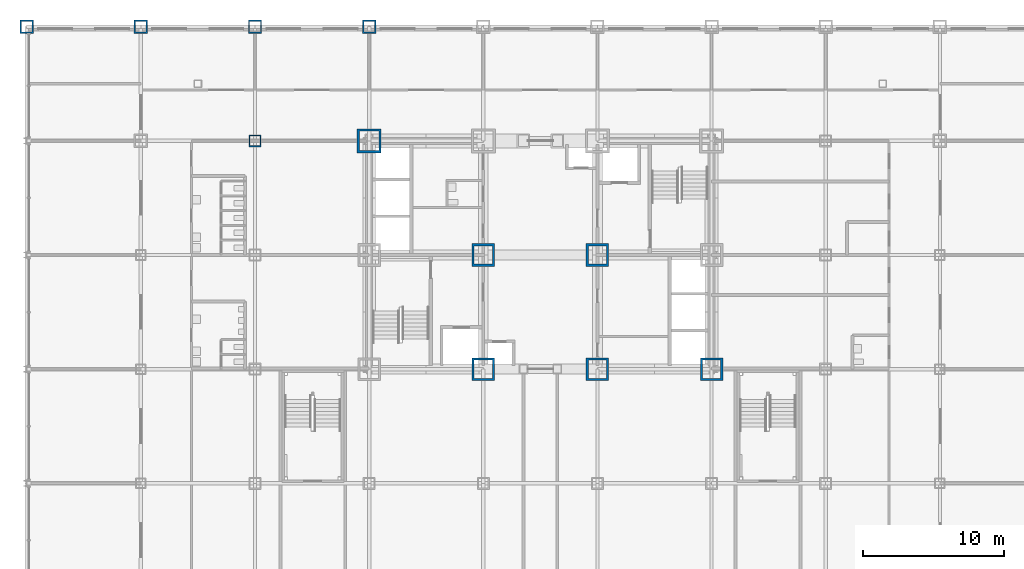
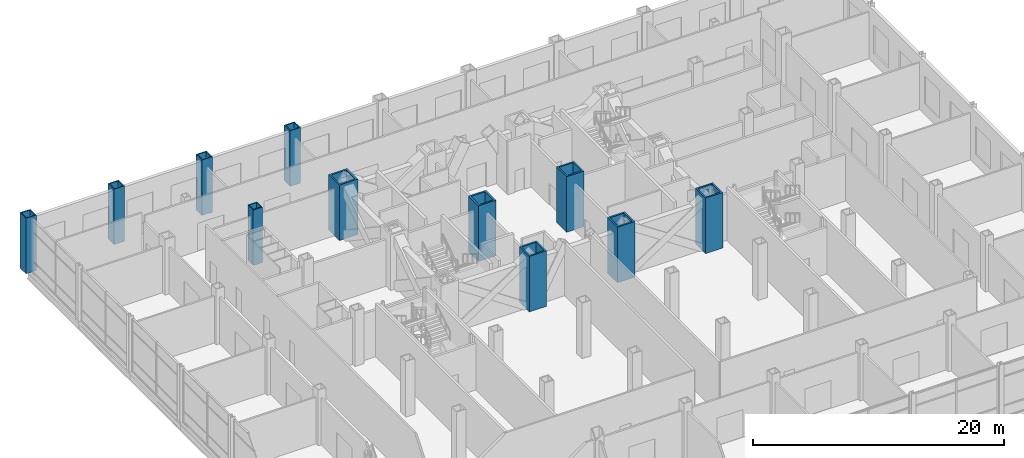
# One storey, part 6 of 30: 11 columns.
"""IFC4 building model written with IfcOpenShell, lengths in metres."""

from ifc_helpers import new_model, si_unit, direction, frame, origin, origin_2d, place, context, subcontext, project, spatial, hollow_rectangle, extrude, material, material_profile, profile_set, type_object, element, save


model = new_model("IFC4")

# Units and contexts
model_context = context("Model", 3, precision=1e-05, world=origin(), true_north=direction((0.0, 1.0)))
body_context = subcontext(model_context, "Body", "Model", "MODEL_VIEW")
ifc_project = project(units=[si_unit("LENGTHUNIT", "METRE"), si_unit("AREAUNIT", "SQUARE_METRE"), si_unit("VOLUMEUNIT", "CUBIC_METRE"), si_unit("PLANEANGLEUNIT", "RADIAN"), si_unit("MASSUNIT", "GRAM", prefix="KILO")], contexts=[model_context])

# Site, building, storey
site_placement = place(None, origin())
site = spatial("IfcSite", under=ifc_project, at=site_placement, CompositionType="ELEMENT")
building_placement = place(site_placement, origin())
building = spatial("IfcBuilding", under=site, at=building_placement, Name="Kopane Lantern Tower", CompositionType="ELEMENT")
storey_placement = place(building_placement, frame((0.0, 0.0, 6.0)))
storey = spatial("IfcBuildingStorey", under=building, at=storey_placement, Name="L01", CompositionType="ELEMENT", Elevation=6.0)

# Columns
ifc_material_1 = material(Name="Steel S355JR", Category="steel")
ifc_material_profile_1 = material_profile(ifc_material_1, hollow_rectangle(XDim=1.60009765625, YDim=1.60009765625, WallThickness=0.14990234375, at=origin_2d()), Name="BOX 1600x1600x150")
ifc_profile_set_1 = profile_set([ifc_material_profile_1], Name="Steel S355JR")
column_type_1 = type_object("IfcColumnType", Name="COLUMN BOX 1600x1600x150", PredefinedType="COLUMN", material=ifc_profile_set_1)
for number, where, z_axis, x_axis, name in (
    (1, (24.300048828125, 24.300048828125, 0.0), (0.0, 0.0, 1.0), (1.0, 0.0, 0.0), "Column 5/E L01"),
    (2, (24.300048828125, 32.39990234375, 0.0), (0.0, 0.0, 1.0), (1.0, 0.0, 0.0), "Column 5/F L01"),
    (3, (32.39990234375, 24.300048828125, 0.0), (0.0, 0.0, 1.0), (1.0, 0.0, 0.0), "Column 6/E L01"),
    (4, (32.39990234375, 32.39990234375, 0.0), (0.0, 0.0, 1.0), (1.0, 0.0, 0.0), "Column 6/F L01"),
    (5, (40.5, 24.300048828125, 0.0), (0.0, 0.0, 1.0), (1.0, 0.0, 0.0), "Column 7/E L01"),
):
    element("IfcColumn", number, at=place(storey_placement, frame(where, z_axis=z_axis, x_axis=x_axis)), inside=storey, type_object=column_type_1, Name=name, PredefinedType="COLUMN", context=body_context, shape_type="SweptSolid", body=[
        extrude(hollow_rectangle(XDim=1.60009765625, YDim=1.60009765625, WallThickness=0.14990234375, at=origin_2d()), origin(), (0.0, 0.0, 1.0), 5.39990234375),
    ])
ifc_material_2 = material(Name="Steel S355JR", Category="steel")
ifc_material_profile_2 = material_profile(ifc_material_2, hollow_rectangle(XDim=1.699951171875, YDim=1.699951171875, WallThickness=0.159912109375, at=origin_2d()), Name="BOX 1700x1700x160")
ifc_profile_set_2 = profile_set([ifc_material_profile_2], Name="Steel S355JR")
column_type_2 = type_object("IfcColumnType", Name="COLUMN BOX 1700x1700x160", PredefinedType="COLUMN", material=ifc_profile_set_2)
column_1_placement = place(storey_placement, frame((16.199951171875, 40.5, 0.0), z_axis=(0.0, 0.0, 1.0), x_axis=(1.0, 0.0, 0.0)))
element("IfcColumn", 6, at=column_1_placement, inside=storey, type_object=column_type_2, Name="Column 4/G L01", PredefinedType="COLUMN", context=body_context, shape_type="SweptSolid", body=[
    extrude(hollow_rectangle(XDim=1.699951171875, YDim=1.699951171875, WallThickness=0.159912109375, at=origin_2d()), origin(), (0.0, 0.0, 1.0), 5.39990234375),
])
ifc_material_3 = material(Name="Steel S355JR", Category="steel")
ifc_material_profile_3 = material_profile(ifc_material_3, hollow_rectangle(XDim=0.85009765625, YDim=0.85009765625, WallThickness=0.0849609375, at=origin_2d()), Name="BOX 850x850x85")
ifc_profile_set_3 = profile_set([ifc_material_profile_3], Name="Steel S355JR")
column_type_3 = type_object("IfcColumnType", Name="COLUMN BOX 850x850x85", PredefinedType="COLUMN", material=ifc_profile_set_3)
column_2_placement = place(storey_placement, frame((8.10009765625, 40.5, 0.0), z_axis=(0.0, 0.0, 1.0), x_axis=(1.0, 0.0, 0.0)))
element("IfcColumn", 7, at=column_2_placement, inside=storey, type_object=column_type_3, Name="Column 3/G L01", PredefinedType="COLUMN", context=body_context, shape_type="SweptSolid", body=[
    extrude(hollow_rectangle(XDim=0.85009765625, YDim=0.85009765625, WallThickness=0.0849609375, at=origin_2d()), origin(), (0.0, 0.0, 1.0), 5.39990234375),
])
ifc_material_4 = material(Name="Steel S355JR", Category="steel")
ifc_material_profile_4 = material_profile(ifc_material_4, hollow_rectangle(XDim=0.949951171875, YDim=0.949951171875, WallThickness=0.10009765625, at=origin_2d()), Name="BOX 950x950x100")
ifc_profile_set_4 = profile_set([ifc_material_profile_4], Name="Steel S355JR")
column_type_4 = type_object("IfcColumnType", Name="COLUMN BOX 950x950x100", PredefinedType="COLUMN", material=ifc_profile_set_4)
for number, where, z_axis, x_axis, name in (
    (8, (-8.10009765625, 48.60009765625, 0.0), (0.0, 0.0, 1.0), (1.0, 0.0, 0.0), "Column 1/H L01"),
    (9, (0.0, 48.60009765625, 0.0), (0.0, 0.0, 1.0), (1.0, 0.0, 0.0), "Column 2/H L01"),
    (10, (8.10009765625, 48.60009765625, 0.0), (0.0, 0.0, 1.0), (1.0, 0.0, 0.0), "Column 3/H L01"),
    (11, (16.199951171875, 48.60009765625, 0.0), (0.0, 0.0, 1.0), (1.0, 0.0, 0.0), "Column 4/H L01"),
):
    element("IfcColumn", number, at=place(storey_placement, frame(where, z_axis=z_axis, x_axis=x_axis)), inside=storey, type_object=column_type_4, Name=name, PredefinedType="COLUMN", context=body_context, shape_type="SweptSolid", body=[
        extrude(hollow_rectangle(XDim=0.949951171875, YDim=0.949951171875, WallThickness=0.10009765625, at=origin_2d()), origin(), (0.0, 0.0, 1.0), 5.39990234375),
    ])

save(model, "model.ifc")
